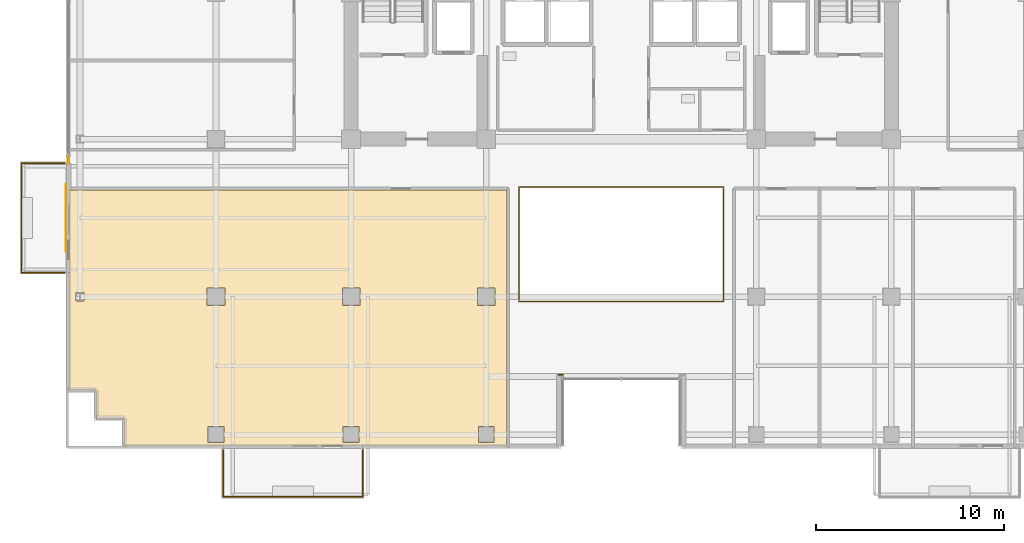
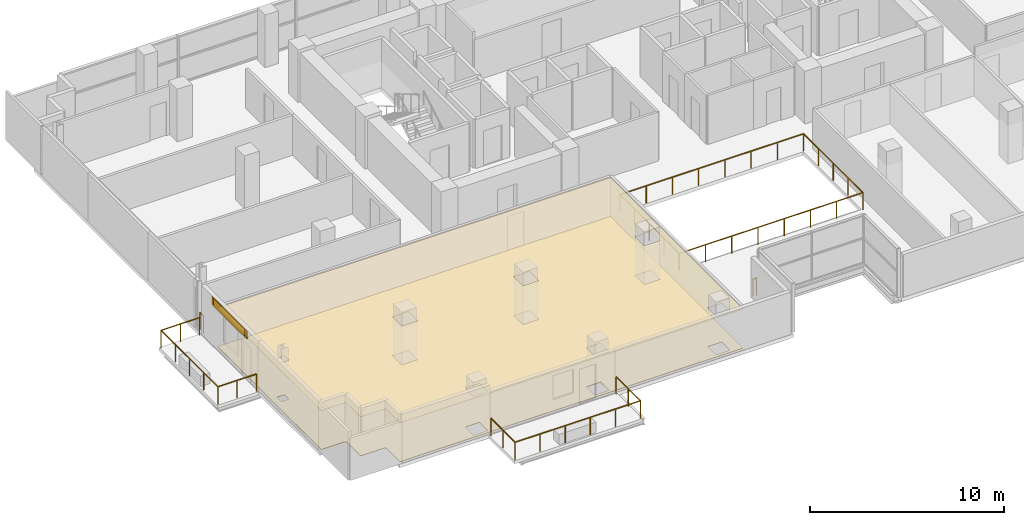
# One storey, part 24 of 28: 5 railings, 3 coverings, 1 shading device.
"""IFC4 building model written with IfcOpenShell, lengths in metres."""

from ifc_helpers import new_model, si_unit, direction, frame, origin, origin_2d, place, context, subcontext, project, spatial, polyline, rectangle, outline, extrude, source, transform, mapped, material, layer, layer_set, type_object, element, save


model = new_model("IFC4")

# Units and contexts
model_context = context("Model", 3, precision=1e-05, world=origin(), true_north=direction((0.0, 1.0)))
body_context = subcontext(model_context, "Body", "Model", "MODEL_VIEW")
ifc_project = project(units=[si_unit("LENGTHUNIT", "METRE"), si_unit("AREAUNIT", "SQUARE_METRE"), si_unit("VOLUMEUNIT", "CUBIC_METRE"), si_unit("PLANEANGLEUNIT", "RADIAN"), si_unit("MASSUNIT", "GRAM", prefix="KILO")], contexts=[model_context])

# Site, building, storey
site_placement = place(None, origin())
site = spatial("IfcSite", under=ifc_project, at=site_placement, CompositionType="ELEMENT")
building_placement = place(site_placement, origin())
building = spatial("IfcBuilding", under=site, at=building_placement, Name="Zarnakvel Exchange Tower", CompositionType="ELEMENT")
storey_placement = place(building_placement, frame((0.0, 0.0, 109.89990234375)))
storey = spatial("IfcBuildingStorey", under=building, at=storey_placement, Name="L30", CompositionType="ELEMENT", Elevation=109.89990234375)

# Coverings
ifc_material_1 = material(Name="Perforated Bronze Acoustic Metal Ceiling", Category="aluminium")
ifc_layer_1 = layer(ifc_material_1, 0.02001953125)
ifc_layer_set_1 = layer_set([ifc_layer_1], Name="Perforated Bronze Acoustic Metal Ceiling")
covering_type_1 = type_object("IfcCoveringType", Name="CLG-01", PredefinedType="CEILING", material=ifc_layer_set_1)
covering_1_placement = place(storey_placement, frame((0.0, 0.0, 2.455078125)))
element("IfcCovering", 1, at=covering_1_placement, inside=storey, type_object=covering_type_1, Name="L30 Suspended Acoustic Ceiling (Derivatives Trading Hall)", PredefinedType="CEILING", context=body_context, shape_type="SweptSolid", body=[
    extrude(outline(polyline([(-6.10009765625, -3.909912109375), (-6.10009765625, -17.550048828125), (-26.47998046875, -17.550048828125), (-26.47998046875, -16.199951171875), (-26.48046875, -16.188232421875), (-26.482421875, -16.176513671875), (-26.485107421875, -16.165283203125), (-26.489013671875, -16.154052734375), (-26.494140625, -16.143310546875), (-26.500244140625, -16.13330078125), (-26.50732421875, -16.123779296875), (-26.51513671875, -16.115234375), (-26.52392578125, -16.107177734375), (-26.533447265625, -16.100341796875), (-26.54345703125, -16.09423828125), (-26.55419921875, -16.089111328125), (-26.565185546875, -16.085205078125), (-26.57666015625, -16.082275390625), (-26.588134765625, -16.08056640625), (-26.60009765625, -16.080078125), (-27.97998046875, -16.080078125), (-27.97998046875, -14.699951171875), (-27.98046875, -14.688232421875), (-27.982421875, -14.676513671875), (-27.985107421875, -14.665283203125), (-27.989013671875, -14.654052734375), (-27.994140625, -14.643310546875), (-28.000244140625, -14.63330078125), (-28.00732421875, -14.623779296875), (-28.01513671875, -14.615234375), (-28.02392578125, -14.607177734375), (-28.033447265625, -14.600341796875), (-28.04345703125, -14.59423828125), (-28.05419921875, -14.589111328125), (-28.065185546875, -14.585205078125), (-28.07666015625, -14.582275390625), (-28.088134765625, -14.58056640625), (-28.10009765625, -14.580078125), (-29.449951171875, -14.580078125), (-29.449951171875, -3.909912109375), (-6.10009765625, -3.909912109375)]), holes=[polyline([(-7.669921875, -10.070068359375), (-6.72998046875, -10.070068359375), (-6.72998046875, -9.1298828125), (-7.669921875, -9.1298828125), (-7.669921875, -10.070068359375)]), polyline([(-6.780029296875, -17.3701171875), (-6.780029296875, -16.530029296875), (-7.6201171875, -16.530029296875), (-7.6201171875, -17.3701171875), (-6.780029296875, -17.3701171875)]), polyline([(-13.929931640625, -10.070068359375), (-13.929931640625, -9.1298828125), (-14.8701171875, -9.1298828125), (-14.8701171875, -10.070068359375), (-13.929931640625, -10.070068359375)]), polyline([(-13.97998046875, -17.3701171875), (-13.97998046875, -16.530029296875), (-14.820068359375, -16.530029296875), (-14.820068359375, -17.3701171875), (-13.97998046875, -17.3701171875)]), polyline([(-21.1298828125, -10.070068359375), (-21.1298828125, -9.1298828125), (-22.070068359375, -9.1298828125), (-22.070068359375, -10.070068359375), (-21.1298828125, -10.070068359375)]), polyline([(-21.179931640625, -17.3701171875), (-21.179931640625, -16.530029296875), (-22.02001953125, -16.530029296875), (-22.02001953125, -17.3701171875), (-21.179931640625, -17.3701171875)]), polyline([(-29.072021484375, -9.823486328125), (-28.6279296875, -9.823486328125), (-28.6279296875, -9.37646484375), (-29.072021484375, -9.37646484375), (-29.072021484375, -9.823486328125)])]), origin(), (0.0, 0.0, 1.0), 0.02001953125),
])
ifc_material_2 = material(Name="Heavy-Duty Raised Access Floor Panel", Category="steel")
ifc_layer_2 = layer(ifc_material_2, 0.034912109375)
ifc_layer_set_2 = layer_set([ifc_layer_2], Name="Heavy-Duty Raised Access Floor Panel")
covering_type_2 = type_object("IfcCoveringType", Name="FLR-02", PredefinedType="FLOORING", material=ifc_layer_set_2)
covering_2_placement = place(storey_placement, origin())
element("IfcCovering", 2, at=covering_2_placement, inside=storey, type_object=covering_type_2, Name="L30 Floor Finish (Derivatives Trading Hall)", PredefinedType="FLOORING", context=body_context, shape_type="SweptSolid", body=[
    extrude(outline(polyline([(-6.10009765625, -3.909912109375), (-6.10009765625, -17.550048828125), (-26.47998046875, -17.550048828125), (-26.47998046875, -16.199951171875), (-26.48046875, -16.188232421875), (-26.482421875, -16.176513671875), (-26.485107421875, -16.165283203125), (-26.489013671875, -16.154052734375), (-26.494140625, -16.143310546875), (-26.500244140625, -16.13330078125), (-26.50732421875, -16.123779296875), (-26.51513671875, -16.115234375), (-26.52392578125, -16.107177734375), (-26.533447265625, -16.100341796875), (-26.54345703125, -16.09423828125), (-26.55419921875, -16.089111328125), (-26.565185546875, -16.085205078125), (-26.57666015625, -16.082275390625), (-26.588134765625, -16.08056640625), (-26.60009765625, -16.080078125), (-27.97998046875, -16.080078125), (-27.97998046875, -14.699951171875), (-27.98046875, -14.688232421875), (-27.982421875, -14.676513671875), (-27.985107421875, -14.665283203125), (-27.989013671875, -14.654052734375), (-27.994140625, -14.643310546875), (-28.000244140625, -14.63330078125), (-28.00732421875, -14.623779296875), (-28.01513671875, -14.615234375), (-28.02392578125, -14.607177734375), (-28.033447265625, -14.600341796875), (-28.04345703125, -14.59423828125), (-28.05419921875, -14.589111328125), (-28.065185546875, -14.585205078125), (-28.07666015625, -14.582275390625), (-28.088134765625, -14.58056640625), (-28.10009765625, -14.580078125), (-29.449951171875, -14.580078125), (-29.449951171875, -3.909912109375), (-6.10009765625, -3.909912109375)]), holes=[polyline([(-7.669921875, -10.070068359375), (-6.72998046875, -10.070068359375), (-6.72998046875, -9.1298828125), (-7.669921875, -9.1298828125), (-7.669921875, -10.070068359375)]), polyline([(-6.780029296875, -17.3701171875), (-6.780029296875, -16.530029296875), (-7.6201171875, -16.530029296875), (-7.6201171875, -17.3701171875), (-6.780029296875, -17.3701171875)]), polyline([(-13.929931640625, -10.070068359375), (-13.929931640625, -9.1298828125), (-14.8701171875, -9.1298828125), (-14.8701171875, -10.070068359375), (-13.929931640625, -10.070068359375)]), polyline([(-13.97998046875, -17.3701171875), (-13.97998046875, -16.530029296875), (-14.820068359375, -16.530029296875), (-14.820068359375, -17.3701171875), (-13.97998046875, -17.3701171875)]), polyline([(-21.1298828125, -10.070068359375), (-21.1298828125, -9.1298828125), (-22.070068359375, -9.1298828125), (-22.070068359375, -10.070068359375), (-21.1298828125, -10.070068359375)]), polyline([(-21.179931640625, -17.3701171875), (-21.179931640625, -16.530029296875), (-22.02001953125, -16.530029296875), (-22.02001953125, -17.3701171875), (-21.179931640625, -17.3701171875)]), polyline([(-29.072021484375, -9.823486328125), (-28.6279296875, -9.823486328125), (-28.6279296875, -9.37646484375), (-29.072021484375, -9.37646484375), (-29.072021484375, -9.823486328125)])]), origin(), (0.0, 0.0, 1.0), 0.03515625),
])

# Railings
ifc_material_3 = material(Name="Architectural Bronze Anodised Aluminium", Category="aluminium")
railing_type_1 = type_object("IfcRailingType", Name="GR-02", PredefinedType="GUARDRAIL", material=ifc_material_3)
railing_1_placement = place(storey_placement, frame((-21.219970703125, -17.780029296875, -0.034912109375)))
element("IfcRailing", 3, at=railing_1_placement, inside=storey, type_object=railing_type_1, Name="L30 Balcony Guardrail BAL-L30-SW", PredefinedType="GUARDRAIL", context=body_context, shape_type="SweptSolid", body=[
    extrude(rectangle(XDim=0.048095703125, YDim=0.048095703125, at=origin_2d()), frame((0.0, 0.0, 1.09619140625), z_axis=(0.0, -1.0, 0.0), x_axis=(1.0, 0.0, 0.0)), (0.0, 0.0, 1.0), 2.489990234375),
    extrude(rectangle(XDim=0.048095703125, YDim=0.048095703125, at=origin_2d()), frame((0.0, -2.489990234375, 1.09619140625), z_axis=(1.0, 0.0, 0.0), x_axis=(0.0, 1.0, 0.0)), (0.0, 0.0, 1.0), 7.43994140625),
    extrude(rectangle(XDim=0.048095703125, YDim=0.048095703125, at=origin_2d()), frame((7.43994140625, -2.489990234375, 1.09619140625), z_axis=(0.0, 1.0, 0.0), x_axis=(-1.0, 0.0, 0.0)), (0.0, 0.0, 1.0), 2.489990234375),
    extrude(rectangle(XDim=0.0419921875, YDim=0.0419921875, at=origin_2d()), origin(), (0.0, 0.0, 1.0), 1.072021484375),
    extrude(rectangle(XDim=0.0419921875, YDim=0.0419921875, at=origin_2d()), frame((0.0, -1.2451171875, 0.0)), (0.0, 0.0, 1.0), 1.072021484375),
    extrude(rectangle(XDim=0.0419921875, YDim=0.0419921875, at=origin_2d()), frame((0.0, -2.489990234375, 0.0)), (0.0, 0.0, 1.0), 1.072021484375),
    extrude(rectangle(XDim=0.0419921875, YDim=0.0419921875, at=origin_2d()), frame((1.488037109375, -2.489990234375, 0.0)), (0.0, 0.0, 1.0), 1.072021484375),
    extrude(rectangle(XDim=0.0419921875, YDim=0.0419921875, at=origin_2d()), frame((2.97607421875, -2.489990234375, 0.0)), (0.0, 0.0, 1.0), 1.072021484375),
    extrude(rectangle(XDim=0.0419921875, YDim=0.0419921875, at=origin_2d()), frame((4.4638671875, -2.489990234375, 0.0)), (0.0, 0.0, 1.0), 1.072021484375),
    extrude(rectangle(XDim=0.0419921875, YDim=0.0419921875, at=origin_2d()), frame((5.951904296875, -2.489990234375, 0.0)), (0.0, 0.0, 1.0), 1.072021484375),
    extrude(rectangle(XDim=0.0419921875, YDim=0.0419921875, at=origin_2d()), frame((7.43994140625, -2.489990234375, 0.0)), (0.0, 0.0, 1.0), 1.072021484375),
    extrude(rectangle(XDim=0.0419921875, YDim=0.0419921875, at=origin_2d()), frame((7.43994140625, -1.2451171875, 0.0)), (0.0, 0.0, 1.0), 1.072021484375),
    extrude(rectangle(XDim=0.0419921875, YDim=0.0419921875, at=origin_2d()), frame((7.43994140625, 0.0, 0.0)), (0.0, 0.0, 1.0), 1.072021484375),
])
railing_2_placement = place(storey_placement, frame((-29.679931640625, -8.320068359375, -0.034912109375)))
element("IfcRailing", 4, at=railing_2_placement, inside=storey, type_object=railing_type_1, Name="L30 Balcony Guardrail BAL-L30-W", PredefinedType="GUARDRAIL", context=body_context, shape_type="SweptSolid", body=[
    extrude(rectangle(XDim=0.048095703125, YDim=0.048095703125, at=origin_2d()), frame((0.0, 0.0, 1.09619140625), z_axis=(-1.0, 0.0, 0.0), x_axis=(0.0, -1.0, 0.0)), (0.0, 0.0, 1.0), 2.2900390625),
    extrude(rectangle(XDim=0.048095703125, YDim=0.048095703125, at=origin_2d()), frame((-2.2900390625, 0.0, 1.09619140625), z_axis=(0.0, 1.0, 0.0), x_axis=(-1.0, 0.0, 0.0)), (0.0, 0.0, 1.0), 5.840087890625),
    extrude(rectangle(XDim=0.048095703125, YDim=0.048095703125, at=origin_2d()), frame((-2.2900390625, 5.840087890625, 1.09619140625), z_axis=(1.0, 0.0, 0.0), x_axis=(0.0, 1.0, 0.0)), (0.0, 0.0, 1.0), 2.2900390625),
    extrude(rectangle(XDim=0.0419921875, YDim=0.0419921875, at=origin_2d()), origin(), (0.0, 0.0, 1.0), 1.072021484375),
    extrude(rectangle(XDim=0.0419921875, YDim=0.0419921875, at=origin_2d()), frame((-1.14501953125, 0.0, 0.0)), (0.0, 0.0, 1.0), 1.072021484375),
    extrude(rectangle(XDim=0.0419921875, YDim=0.0419921875, at=origin_2d()), frame((-2.2900390625, 0.0, 0.0)), (0.0, 0.0, 1.0), 1.072021484375),
    extrude(rectangle(XDim=0.0419921875, YDim=0.0419921875, at=origin_2d()), frame((-2.2900390625, 1.4599609375, 0.0)), (0.0, 0.0, 1.0), 1.072021484375),
    extrude(rectangle(XDim=0.0419921875, YDim=0.0419921875, at=origin_2d()), frame((-2.2900390625, 2.919921875, 0.0)), (0.0, 0.0, 1.0), 1.072021484375),
    extrude(rectangle(XDim=0.0419921875, YDim=0.0419921875, at=origin_2d()), frame((-2.2900390625, 4.380126953125, 0.0)), (0.0, 0.0, 1.0), 1.072021484375),
    extrude(rectangle(XDim=0.0419921875, YDim=0.0419921875, at=origin_2d()), frame((-2.2900390625, 5.840087890625, 0.0)), (0.0, 0.0, 1.0), 1.072021484375),
    extrude(rectangle(XDim=0.0419921875, YDim=0.0419921875, at=origin_2d()), frame((-1.14501953125, 5.840087890625, 0.0)), (0.0, 0.0, 1.0), 1.072021484375),
    extrude(rectangle(XDim=0.0419921875, YDim=0.0419921875, at=origin_2d()), frame((0.0, 5.840087890625, 0.0)), (0.0, 0.0, 1.0), 1.072021484375),
])
railing_3_placement = place(storey_placement, frame((-29.4599609375, -2.5, 0.0)))
element("IfcRailing", 5, at=railing_3_placement, inside=storey, type_object=railing_type_1, Name="L30 Corner Spandrel Balustrade #2", PredefinedType="GUARDRAIL", context=body_context, shape_type="SweptSolid", body=[
    extrude(rectangle(XDim=0.048095703125, YDim=0.048095703125, at=origin_2d()), frame((0.0, 0.0, 1.09619140625), z_axis=(0.0, 1.0, 0.0), x_axis=(-1.0, 0.0, 0.0)), (0.0, 0.0, 1.0), 0.39990234375),
    extrude(rectangle(XDim=0.0419921875, YDim=0.0419921875, at=origin_2d()), origin(), (0.0, 0.0, 1.0), 1.072021484375),
    extrude(rectangle(XDim=0.0419921875, YDim=0.0419921875, at=origin_2d()), frame((0.0, 0.39990234375, 0.0)), (0.0, 0.0, 1.0), 1.072021484375),
])
railing_4_placement = place(storey_placement, frame((-3.1201171875, -13.760009765625, 0.0)))
element("IfcRailing", 6, at=railing_4_placement, inside=storey, type_object=railing_type_1, Name="L30 Corner Spandrel Balustrade #19", PredefinedType="GUARDRAIL", context=body_context, shape_type="SweptSolid", body=[
    extrude(rectangle(XDim=0.048095703125, YDim=0.048095703125, at=origin_2d()), frame((0.0, 0.0, 1.09619140625), z_axis=(-1.0, 0.0, 0.0), x_axis=(0.0, -1.0, 0.0)), (0.0, 0.0, 1.0), 0.219970703125),
    extrude(rectangle(XDim=0.0419921875, YDim=0.0419921875, at=origin_2d()), origin(), (0.0, 0.0, 1.0), 1.072021484375),
    extrude(rectangle(XDim=0.0419921875, YDim=0.0419921875, at=origin_2d()), frame((-0.219970703125, 0.0, 0.0)), (0.0, 0.0, 1.0), 1.072021484375),
])
railing_type_2 = type_object("IfcRailingType", Name="GR-03", PredefinedType="GUARDRAIL", material=ifc_material_3)
railing_5_placement = place(storey_placement, frame((-5.449951171875, -9.85009765625, 0.0)))
element("IfcRailing", 7, at=railing_5_placement, inside=storey, type_object=railing_type_2, Name="L30 Atrium Void Perimeter Balustrade", PredefinedType="GUARDRAIL", context=body_context, shape_type="SweptSolid", body=[
    extrude(rectangle(XDim=0.048095703125, YDim=0.048095703125, at=origin_2d()), frame((0.0, 0.0, 1.076171875), z_axis=(1.0, 0.0, 0.0), x_axis=(0.0, 1.0, 0.0)), (0.0, 0.0, 1.0), 10.89990234375),
    extrude(rectangle(XDim=0.048095703125, YDim=0.048095703125, at=origin_2d()), frame((10.89990234375, 0.0, 1.076171875), z_axis=(0.0, 1.0, 0.0), x_axis=(-1.0, 0.0, 0.0)), (0.0, 0.0, 1.0), 6.10009765625),
    extrude(rectangle(XDim=0.048095703125, YDim=0.048095703125, at=origin_2d()), frame((10.89990234375, 6.10009765625, 1.076171875), z_axis=(-1.0, 0.0, 0.0), x_axis=(0.0, -1.0, 0.0)), (0.0, 0.0, 1.0), 10.89990234375),
    extrude(rectangle(XDim=0.048095703125, YDim=0.048095703125, at=origin_2d()), frame((0.0, 6.10009765625, 1.076171875), z_axis=(0.0, -1.0, 0.0), x_axis=(1.0, 0.0, 0.0)), (0.0, 0.0, 1.0), 6.02001953125),
    extrude(rectangle(XDim=0.0419921875, YDim=0.0419921875, at=origin_2d()), origin(), (0.0, 0.0, 1.0), 1.052001953125),
    extrude(rectangle(XDim=0.0419921875, YDim=0.0419921875, at=origin_2d()), frame((1.55712890625, 0.0, 0.0)), (0.0, 0.0, 1.0), 1.052001953125),
    extrude(rectangle(XDim=0.0419921875, YDim=0.0419921875, at=origin_2d()), frame((3.1142578125, 0.0, 0.0)), (0.0, 0.0, 1.0), 1.052001953125),
    extrude(rectangle(XDim=0.0419921875, YDim=0.0419921875, at=origin_2d()), frame((4.67138671875, 0.0, 0.0)), (0.0, 0.0, 1.0), 1.052001953125),
    extrude(rectangle(XDim=0.0419921875, YDim=0.0419921875, at=origin_2d()), frame((6.228515625, 0.0, 0.0)), (0.0, 0.0, 1.0), 1.052001953125),
    extrude(rectangle(XDim=0.0419921875, YDim=0.0419921875, at=origin_2d()), frame((7.78564453125, 0.0, 0.0)), (0.0, 0.0, 1.0), 1.052001953125),
    extrude(rectangle(XDim=0.0419921875, YDim=0.0419921875, at=origin_2d()), frame((9.3427734375, 0.0, 0.0)), (0.0, 0.0, 1.0), 1.052001953125),
    extrude(rectangle(XDim=0.0419921875, YDim=0.0419921875, at=origin_2d()), frame((10.89990234375, 0.0, 0.0)), (0.0, 0.0, 1.0), 1.052001953125),
    extrude(rectangle(XDim=0.0419921875, YDim=0.0419921875, at=origin_2d()), frame((10.89990234375, 1.52490234375, 0.0)), (0.0, 0.0, 1.0), 1.052001953125),
    extrude(rectangle(XDim=0.0419921875, YDim=0.0419921875, at=origin_2d()), frame((10.89990234375, 3.050048828125, 0.0)), (0.0, 0.0, 1.0), 1.052001953125),
    extrude(rectangle(XDim=0.0419921875, YDim=0.0419921875, at=origin_2d()), frame((10.89990234375, 4.5751953125, 0.0)), (0.0, 0.0, 1.0), 1.052001953125),
    extrude(rectangle(XDim=0.0419921875, YDim=0.0419921875, at=origin_2d()), frame((10.89990234375, 6.10009765625, 0.0)), (0.0, 0.0, 1.0), 1.052001953125),
    extrude(rectangle(XDim=0.0419921875, YDim=0.0419921875, at=origin_2d()), frame((9.3427734375, 6.10009765625, 0.0)), (0.0, 0.0, 1.0), 1.052001953125),
    extrude(rectangle(XDim=0.0419921875, YDim=0.0419921875, at=origin_2d()), frame((7.78564453125, 6.10009765625, 0.0)), (0.0, 0.0, 1.0), 1.052001953125),
    extrude(rectangle(XDim=0.0419921875, YDim=0.0419921875, at=origin_2d()), frame((6.228515625, 6.10009765625, 0.0)), (0.0, 0.0, 1.0), 1.052001953125),
    extrude(rectangle(XDim=0.0419921875, YDim=0.0419921875, at=origin_2d()), frame((4.67138671875, 6.10009765625, 0.0)), (0.0, 0.0, 1.0), 1.052001953125),
    extrude(rectangle(XDim=0.0419921875, YDim=0.0419921875, at=origin_2d()), frame((3.1142578125, 6.10009765625, 0.0)), (0.0, 0.0, 1.0), 1.052001953125),
    extrude(rectangle(XDim=0.0419921875, YDim=0.0419921875, at=origin_2d()), frame((1.55712890625, 6.10009765625, 0.0)), (0.0, 0.0, 1.0), 1.052001953125),
    extrude(rectangle(XDim=0.0419921875, YDim=0.0419921875, at=origin_2d()), frame((0.0, 6.10009765625, 0.0)), (0.0, 0.0, 1.0), 1.052001953125),
    extrude(rectangle(XDim=0.0419921875, YDim=0.0419921875, at=origin_2d()), frame((0.0, 4.59521484375, 0.0)), (0.0, 0.0, 1.0), 1.052001953125),
    extrude(rectangle(XDim=0.0419921875, YDim=0.0419921875, at=origin_2d()), frame((0.0, 3.090087890625, 0.0)), (0.0, 0.0, 1.0), 1.052001953125),
    extrude(rectangle(XDim=0.0419921875, YDim=0.0419921875, at=origin_2d()), frame((0.0, 1.5849609375, 0.0)), (0.0, 0.0, 1.0), 1.052001953125),
    extrude(rectangle(XDim=0.0419921875, YDim=0.0419921875, at=origin_2d()), frame((0.0, 0.080078125, 0.0)), (0.0, 0.0, 1.0), 1.052001953125),
])

# Shading device
ifc_material_4 = material(Name="Perforated Architectural Bronze Screen", Category="aluminium")
ifc_layer_3 = layer(ifc_material_4, 0.044921875)
ifc_layer_set_3 = layer_set([ifc_layer_3], Name="Perforated Architectural Bronze Screen")
shading_device_type = type_object("IfcShadingDeviceType", Name="SS-01", PredefinedType="JALOUSIE", material=ifc_layer_set_3)
shared_shape_1 = source(origin(), body_context, "Body", "SweptSolid", [
    extrude(rectangle(XDim=3.199951171875, YDim=0.044921875, at=origin_2d()), origin(), (0.0, 0.0, 1.0), 0.4951171875),
])
shading_device_placement = place(storey_placement, frame((-29.6005859375, -5.39990234375, 2.56005859375), z_axis=(0.0, 0.0, 1.0), x_axis=(0.0, 1.0, 0.0)))
element("IfcShadingDevice", 8, at=shading_device_placement, inside=storey, type_object=shading_device_type, Name="L30 Bronze Solar Shading Screen SS-01", PredefinedType="JALOUSIE", context=body_context, shape_type="MappedRepresentation", body=[
    mapped(shared_shape_1, transform((0.0, 0.0, 0.0), x_axis=(1.0, 0.0, 0.0), y_axis=(0.0, 1.0, 0.0), z_axis=(0.0, 0.0, 1.0), scale=1.0)),
])

# Covering
ifc_material_5 = material(Name="Glazed Turquoise Ceramic Architectural Tile", Category="ceramic")
ifc_layer_4 = layer(ifc_material_5, 0.028076171875)
ifc_layer_set_4 = layer_set([ifc_layer_4], Name="Glazed Turquoise Ceramic Architectural Tile")
covering_type_3 = type_object("IfcCoveringType", Name="CL-01", PredefinedType="CLADDING", material=ifc_layer_set_4)
shared_shape_2 = source(origin(), body_context, "Body", "SweptSolid", [
    extrude(rectangle(XDim=3.60009765625, YDim=0.028076171875, at=origin_2d()), origin(), (0.0, 0.0, 1.0), 0.4951171875),
])
covering_3_placement = place(storey_placement, frame((-29.592041015625, -5.39990234375, 2.56005859375), z_axis=(0.0, 0.0, 1.0), x_axis=(0.0, 1.0, 0.0)))
element("IfcCovering", 9, at=covering_3_placement, inside=storey, type_object=covering_type_3, Name="L30 Ceramic Spandrel Tilework CL-01", PredefinedType="CLADDING", context=body_context, shape_type="MappedRepresentation", body=[
    mapped(shared_shape_2, transform((0.0, 0.0, 0.0), x_axis=(1.0, 0.0, 0.0), y_axis=(0.0, 1.0, 0.0), z_axis=(0.0, 0.0, 1.0), scale=1.0)),
])

save(model, "model.ifc")
